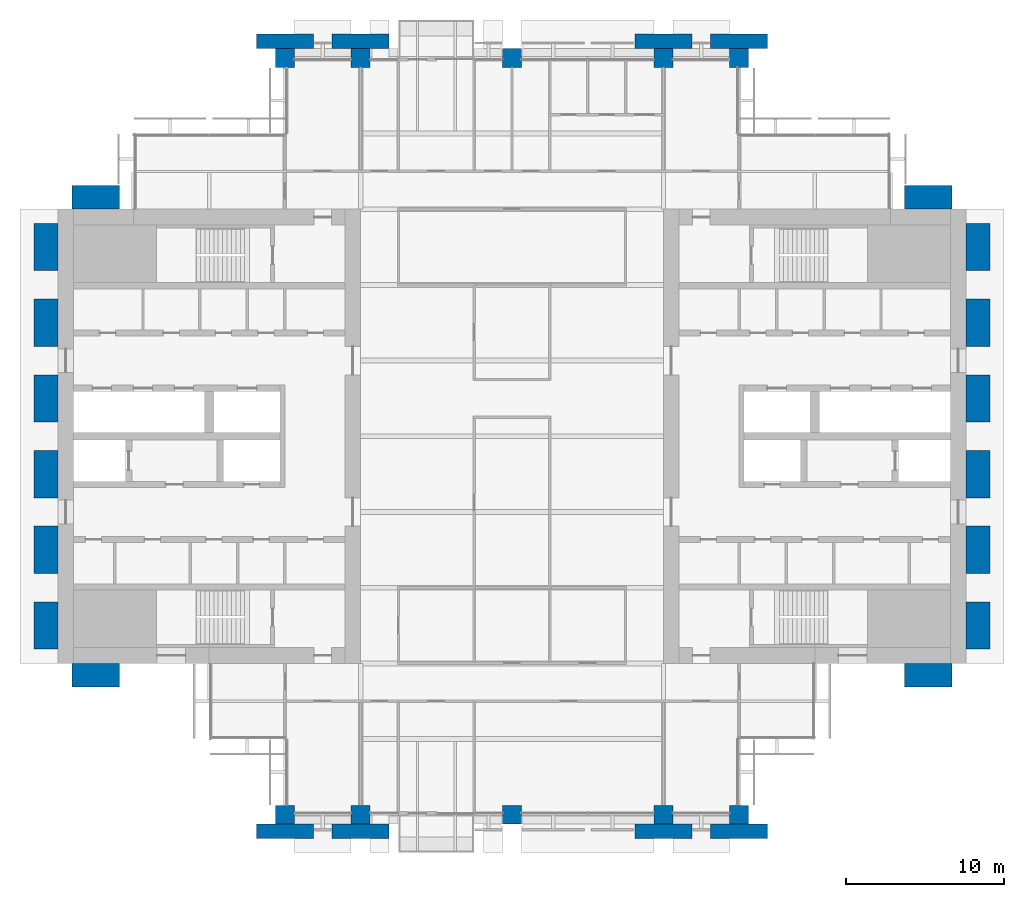
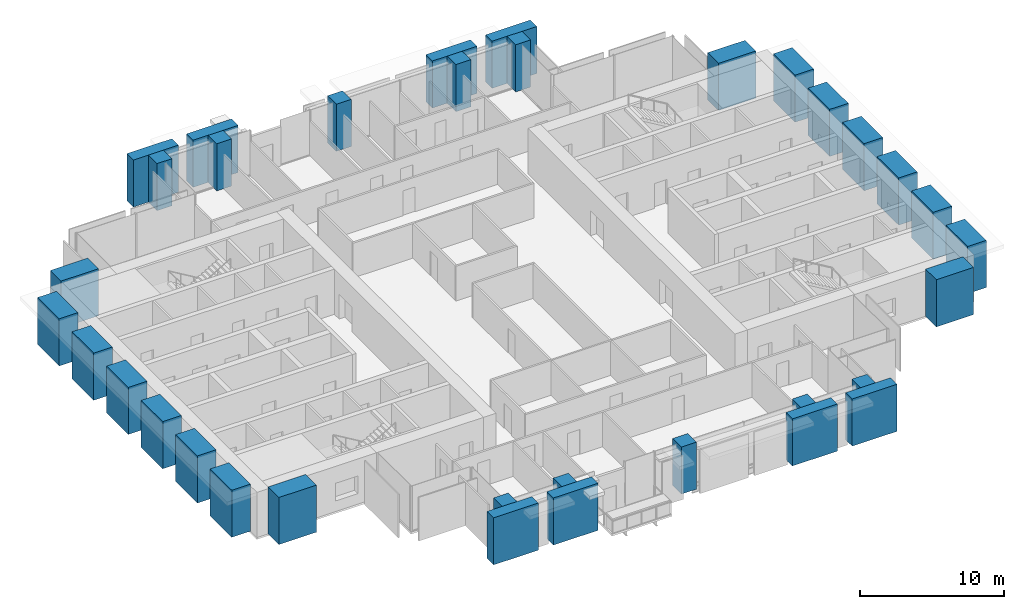
# One storey, part 1 of 15: 34 columns.
"""IFC4 building model written with IfcOpenShell, lengths in metres."""

from ifc_helpers import new_model, si_unit, direction, frame, origin, origin_2d, place, context, subcontext, project, spatial, rectangle, extrude, material, material_profile, profile_set, type_object, element, save


model = new_model("IFC4")

# Units and contexts
model_context = context("Model", 3, precision=1e-05, world=origin(), true_north=direction((0.0, 1.0)))
body_context = subcontext(model_context, "Body", "Model", "MODEL_VIEW")
ifc_project = project(units=[si_unit("LENGTHUNIT", "METRE"), si_unit("AREAUNIT", "SQUARE_METRE"), si_unit("VOLUMEUNIT", "CUBIC_METRE"), si_unit("PLANEANGLEUNIT", "RADIAN"), si_unit("MASSUNIT", "GRAM", prefix="KILO")], contexts=[model_context])

# Site, building, storey
site_placement = place(None, origin())
site = spatial("IfcSite", under=ifc_project, at=site_placement, CompositionType="ELEMENT")
building_placement = place(site_placement, origin())
building = spatial("IfcBuilding", under=site, at=building_placement, Name="Baori Bourse Tower", CompositionType="ELEMENT")
storey_placement = place(building_placement, frame((0.0, 0.0, 128.10009765625)))
storey = spatial("IfcBuildingStorey", under=building, at=storey_placement, Name="L27", CompositionType="ELEMENT", Elevation=128.10009765625)

# Columns
ifc_material_1 = material(Name="Concrete f'c 60 MPa", Category="concrete")
ifc_material_profile_1 = material_profile(ifc_material_1, rectangle(XDim=3.60009765625, YDim=0.89990234375, at=origin_2d()), Name="RC 3600x900")
ifc_profile_set_1 = profile_set([ifc_material_profile_1], Name="Concrete f'c 60 MPa")
column_type_1 = type_object("IfcColumnType", Name="FN3 Brick pilaster 3600x900", PredefinedType="PILASTER", material=ifc_profile_set_1)
for number, where, z_axis, x_axis, name in (
    (1, (14.39990234375, -1.050048828125, 0.0), (0.0, 0.0, 1.0), (1.0, 0.0, 0.0), "Brick pilaster L27 17"),
    (2, (19.199951171875, -1.050048828125, 0.0), (0.0, 0.0, 1.0), (1.0, 0.0, 0.0), "Brick pilaster L27 18"),
    (3, (38.39990234375, -1.050048828125, 0.0), (0.0, 0.0, 1.0), (1.0, 0.0, 0.0), "Brick pilaster L27 19"),
    (4, (43.199951171875, -1.050048828125, 0.0), (0.0, 0.0, 1.0), (1.0, 0.0, 0.0), "Brick pilaster L27 20"),
    (5, (14.39990234375, 49.050048828125, 0.0), (0.0, 0.0, 1.0), (1.0, 0.0, 0.0), "Brick pilaster L27 21"),
    (6, (19.199951171875, 49.050048828125, 0.0), (0.0, 0.0, 1.0), (1.0, 0.0, 0.0), "Brick pilaster L27 22"),
    (7, (38.39990234375, 49.050048828125, 0.0), (0.0, 0.0, 1.0), (1.0, 0.0, 0.0), "Brick pilaster L27 23"),
    (8, (43.199951171875, 49.050048828125, 0.0), (0.0, 0.0, 1.0), (1.0, 0.0, 0.0), "Brick pilaster L27 24"),
):
    element("IfcColumn", number, at=place(storey_placement, frame(where, z_axis=z_axis, x_axis=x_axis)), inside=storey, type_object=column_type_1, Name=name, PredefinedType="PILASTER", context=body_context, shape_type="SweptSolid", body=[
        extrude(rectangle(XDim=3.60009765625, YDim=0.89990234375, at=origin_2d()), origin(), (0.0, 0.0, 1.0), 4.0),
    ])
ifc_material_2 = material(Name="Concrete f'c 60 MPa", Category="concrete")
ifc_material_profile_2 = material_profile(ifc_material_2, rectangle(XDim=3.0, YDim=1.5, at=origin_2d()), Name="RC 3000x1500")
ifc_profile_set_2 = profile_set([ifc_material_profile_2], Name="Concrete f'c 60 MPa")
column_type_2 = type_object("IfcColumnType", Name="FN4 Brick flank pilaster 3000x1500", PredefinedType="PILASTER", material=ifc_profile_set_2)
for number, where, z_axis, x_axis, name in (
    (9, (55.199951171875, 8.85009765625, 0.0), (0.0, 0.0, 1.0), (1.0, 0.0, 0.0), "Brick pilaster L27 1"),
    (10, (58.35009765625, 12.0, 0.0), (0.0, 0.0, 1.0), (0.0, 1.0, 0.0), "Brick pilaster L27 2"),
    (11, (58.35009765625, 16.800048828125, 0.0), (0.0, 0.0, 1.0), (0.0, 1.0, 0.0), "Brick pilaster L27 3"),
    (12, (58.35009765625, 21.60009765625, 0.0), (0.0, 0.0, 1.0), (0.0, 1.0, 0.0), "Brick pilaster L27 4"),
    (13, (58.35009765625, 26.39990234375, 0.0), (0.0, 0.0, 1.0), (0.0, 1.0, 0.0), "Brick pilaster L27 5"),
    (14, (58.35009765625, 31.199951171875, 0.0), (0.0, 0.0, 1.0), (0.0, 1.0, 0.0), "Brick pilaster L27 6"),
    (15, (58.35009765625, 36.0, 0.0), (0.0, 0.0, 1.0), (0.0, 1.0, 0.0), "Brick pilaster L27 7"),
    (16, (55.199951171875, 39.14990234375, 0.0), (0.0, 0.0, 1.0), (1.0, 0.0, 0.0), "Brick pilaster L27 8"),
    (17, (2.39990234375, 39.14990234375, 0.0), (0.0, 0.0, 1.0), (1.0, 0.0, 0.0), "Brick pilaster L27 9"),
    (18, (-0.75, 12.0, 0.0), (0.0, 0.0, 1.0), (0.0, 1.0, 0.0), "Brick pilaster L27 10"),
    (19, (-0.75, 16.800048828125, 0.0), (0.0, 0.0, 1.0), (0.0, 1.0, 0.0), "Brick pilaster L27 11"),
    (20, (-0.75, 21.60009765625, 0.0), (0.0, 0.0, 1.0), (0.0, 1.0, 0.0), "Brick pilaster L27 12"),
    (21, (-0.75, 26.39990234375, 0.0), (0.0, 0.0, 1.0), (0.0, 1.0, 0.0), "Brick pilaster L27 13"),
    (22, (-0.75, 31.199951171875, 0.0), (0.0, 0.0, 1.0), (0.0, 1.0, 0.0), "Brick pilaster L27 14"),
    (23, (-0.75, 36.0, 0.0), (0.0, 0.0, 1.0), (0.0, 1.0, 0.0), "Brick pilaster L27 15"),
    (24, (2.39990234375, 8.85009765625, 0.0), (0.0, 0.0, 1.0), (1.0, 0.0, 0.0), "Brick pilaster L27 16"),
):
    element("IfcColumn", number, at=place(storey_placement, frame(where, z_axis=z_axis, x_axis=x_axis)), inside=storey, type_object=column_type_2, Name=name, PredefinedType="PILASTER", context=body_context, shape_type="SweptSolid", body=[
        extrude(rectangle(XDim=3.0, YDim=1.5, at=origin_2d()), origin(), (0.0, 0.0, 1.0), 4.0),
    ])
ifc_material_3 = material(Name="Concrete f'c 60 MPa", Category="concrete")
ifc_material_profile_3 = material_profile(ifc_material_3, rectangle(XDim=1.199951171875, YDim=1.199951171875, at=origin_2d()), Name="RC 1200x1200")
ifc_profile_set_3 = profile_set([ifc_material_profile_3], Name="Concrete f'c 60 MPa")
column_type_3 = type_object("IfcColumnType", Name="Perimeter column 60 RC 1200x1200", PredefinedType="COLUMN", material=ifc_profile_set_3)
for number, where, z_axis, x_axis, name in (
    (25, (14.39990234375, 0.0, 0.0), (0.0, 0.0, 1.0), (1.0, 0.0, 0.0), "Perimeter column L27"),
    (26, (19.199951171875, 0.0, 0.0), (0.0, 0.0, 1.0), (1.0, 0.0, 0.0), "Perimeter column L27"),
    (27, (28.800048828125, 0.0, 0.0), (0.0, 0.0, 1.0), (1.0, 0.0, 0.0), "Perimeter column L27"),
    (28, (38.39990234375, 0.0, 0.0), (0.0, 0.0, 1.0), (1.0, 0.0, 0.0), "Perimeter column L27"),
    (29, (43.199951171875, 0.0, 0.0), (0.0, 0.0, 1.0), (1.0, 0.0, 0.0), "Perimeter column L27"),
    (30, (14.39990234375, 48.0, 0.0), (0.0, 0.0, 1.0), (1.0, 0.0, 0.0), "Perimeter column L27"),
    (31, (19.199951171875, 48.0, 0.0), (0.0, 0.0, 1.0), (1.0, 0.0, 0.0), "Perimeter column L27"),
    (32, (28.800048828125, 48.0, 0.0), (0.0, 0.0, 1.0), (1.0, 0.0, 0.0), "Perimeter column L27"),
    (33, (38.39990234375, 48.0, 0.0), (0.0, 0.0, 1.0), (1.0, 0.0, 0.0), "Perimeter column L27"),
    (34, (43.199951171875, 48.0, 0.0), (0.0, 0.0, 1.0), (1.0, 0.0, 0.0), "Perimeter column L27"),
):
    element("IfcColumn", number, at=place(storey_placement, frame(where, z_axis=z_axis, x_axis=x_axis)), inside=storey, type_object=column_type_3, Name=name, PredefinedType="COLUMN", context=body_context, shape_type="SweptSolid", body=[
        extrude(rectangle(XDim=1.199951171875, YDim=1.199951171875, at=origin_2d()), origin(), (0.0, 0.0, 1.0), 4.0),
    ])

save(model, "model.ifc")
